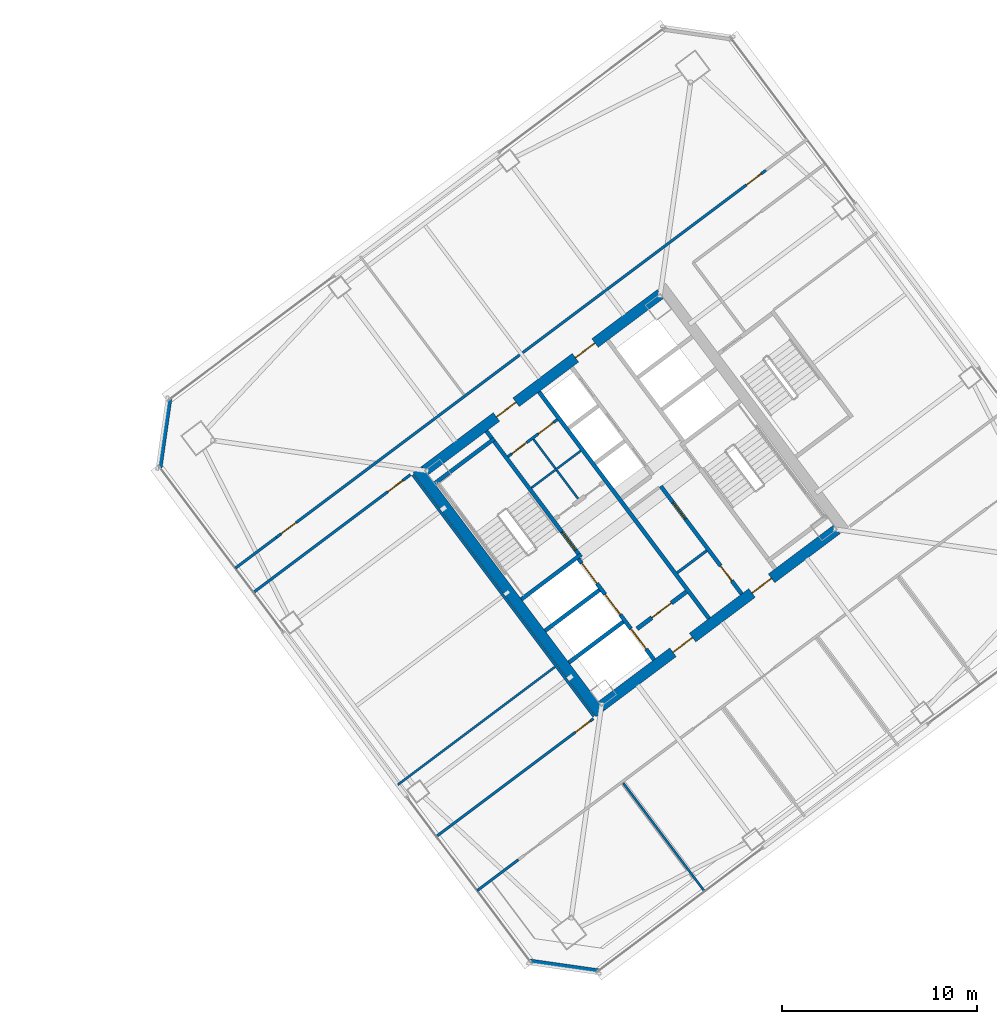
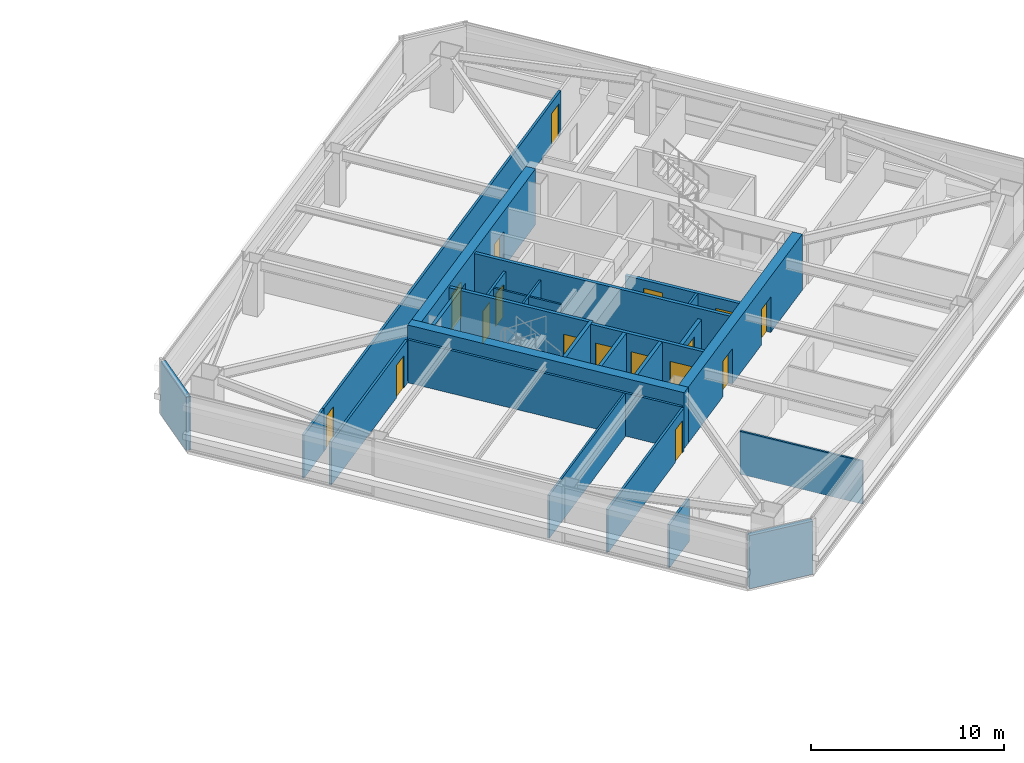
# One storey, part 33 of 41: 26 walls, 17 doors, 17 openings.
"""IFC4 building model written with IfcOpenShell, lengths in metres."""

from ifc_helpers import new_model, si_unit, direction, frame, frame_2d, origin, place, context, subcontext, project, spatial, rectangle, extrude, material, layer, layer_set, type_object, element, fill, save


model = new_model("IFC4")

# Units and contexts
model_context = context("Model", 3, precision=1e-05, world=origin(), true_north=direction((0.0, 1.0)))
body_context = subcontext(model_context, "Body", "Model", "MODEL_VIEW")
ifc_project = project(units=[si_unit("LENGTHUNIT", "METRE"), si_unit("AREAUNIT", "SQUARE_METRE"), si_unit("VOLUMEUNIT", "CUBIC_METRE"), si_unit("PLANEANGLEUNIT", "RADIAN"), si_unit("MASSUNIT", "GRAM", prefix="KILO")], contexts=[model_context])

# Site, building, storey
site_placement = place(None, origin())
site = spatial("IfcSite", under=ifc_project, at=site_placement, CompositionType="ELEMENT")
building_placement = place(site_placement, origin())
building = spatial("IfcBuilding", under=site, at=building_placement, Name="Tashvorn Skyway Center", CompositionType="ELEMENT")
storey_placement = place(building_placement, frame((0.0, 0.0, 117.949951171875)))
storey = spatial("IfcBuildingStorey", under=building, at=storey_placement, Name="L31", CompositionType="ELEMENT", Elevation=117.949951171875)

# Wall
ifc_material_1 = material(Name="Concrete C60/75", Category="concrete")
ifc_layer_1 = layer(ifc_material_1, 0.550048828125)
ifc_layer_set_1 = layer_set([ifc_layer_1], Name="Concrete C60/75")
wall_type_1 = type_object("IfcWallType", Name="WALL-CORE-550", PredefinedType="SHEAR", material=ifc_layer_set_1)
wall_1_placement = place(storey_placement, frame((112.43603515625, 21.076904296875, 0.0), z_axis=(0.0, 0.0, 1.0), x_axis=(-0.600005007985, 0.799996243986, 0.0)))
element("IfcWall", 1, at=wall_1_placement, inside=storey, type_object=wall_type_1, Name="Tower 2 L31 West Core Shear Wall", PredefinedType="SHEAR", context=body_context, shape_type="SweptSolid", body=[
    extrude(rectangle(XDim=15.60009765625, YDim=0.550048828125, at=frame_2d((7.800048828125, 0.0))), origin(), (0.0, 0.0, 1.0), 3.550048828125),
])

# Wall, openings, doors
wall_2_placement = place(storey_placement, frame((124.5390625, 30.498046875, 0.0), z_axis=(0.0, 0.0, 1.0), x_axis=(-0.799998054672, -0.600002593761, 0.0)))
wall_2 = element("IfcWall", 2, at=wall_2_placement, inside=storey, type_object=wall_type_1, Name="Tower 2 L31 South Core Shear Wall", PredefinedType="SHEAR", context=body_context, shape_type="SweptSolid", body=[
    extrude(rectangle(XDim=15.06005859375, YDim=0.550048828125, at=frame_2d((7.530029296875, 0.0))), origin(), (0.0, 0.0, 1.0), 3.550048828125),
])
opening_1_placement = place(wall_2_placement, frame((9.22998046875, 0.0, 0.0)))
opening_1 = element("IfcOpeningElement", 3, at=opening_1_placement, cuts=wall_2, Name="Opening D-FFL-1250", PredefinedType="OPENING", context=body_context, shape_type="SweptSolid", body=[
    extrude(rectangle(XDim=1.25, YDim=2.25, at=frame_2d((0.625, 1.125))), frame((0.0, 0.284912109375, 0.0), z_axis=(0.0, -1.0, 0.0), x_axis=(1.0, 0.0, 0.0)), (0.0, 0.0, 1.0), 0.570068359375),
])
opening_2_placement = place(wall_2_placement, frame((4.179931640625, 0.0, 0.0)))
opening_2 = element("IfcOpeningElement", 4, at=opening_2_placement, cuts=wall_2, Name="Opening D-FFL-1250", PredefinedType="OPENING", context=body_context, shape_type="SweptSolid", body=[
    extrude(rectangle(XDim=1.25, YDim=2.25, at=frame_2d((0.625, 1.125))), frame((0.0, 0.284912109375, 0.0), z_axis=(0.0, -1.0, 0.0), x_axis=(1.0, 0.0, 0.0)), (0.0, 0.0, 1.0), 0.570068359375),
])
ifc_material_2 = material(Name="Hollow galvanized steel fire door assembly", Category="steel")
door_type_1 = type_object("IfcDoorType", Name="DOOR-FFL-1250", OperationType="NOTDEFINED", PredefinedType="DOOR", material=ifc_material_2)
door_1_placement = place(opening_1_placement, origin())
door_1 = element("IfcDoor", 5, at=door_1_placement, inside=storey, type_object=door_type_1, Name="Tower 2 L31 Core South Firefighting Exit Door", OperationType="SINGLE_SWING_LEFT", OverallHeight=2.25, OverallWidth=1.25, PredefinedType="DOOR", context=body_context, shape_type="SweptSolid", body=[
    extrude(rectangle(XDim=1.25, YDim=2.25, at=frame_2d((0.625, 1.125))), frame((0.0, 0.02490234375, 0.0), z_axis=(0.0, -1.0, 0.0), x_axis=(1.0, 0.0, 0.0)), (0.0, 0.0, 1.0), 0.050048828125),
])
fill(opening_1, door_1)
door_2_placement = place(opening_2_placement, origin())
door_2 = element("IfcDoor", 6, at=door_2_placement, inside=storey, type_object=door_type_1, Name="Tower 2 L31 Core South Lift Lobby Door", OperationType="SINGLE_SWING_RIGHT", OverallHeight=2.25, OverallWidth=1.25, PredefinedType="DOOR", context=body_context, shape_type="SweptSolid", body=[
    extrude(rectangle(XDim=1.25, YDim=2.25, at=frame_2d((0.625, 1.125))), frame((0.0, 0.02490234375, 0.0), z_axis=(0.0, -1.0, 0.0), x_axis=(1.0, 0.0, 0.0)), (0.0, 0.0, 1.0), 0.050048828125),
])
fill(opening_2, door_2)

wall_3_placement = place(storey_placement, frame((103.4609375, 33.501953125, 0.0), z_axis=(0.0, 0.0, 1.0), x_axis=(0.799998054672, 0.600002593761, 0.0)))
wall_3 = element("IfcWall", 7, at=wall_3_placement, inside=storey, type_object=wall_type_1, Name="Tower 2 L31 North Core Shear Wall", PredefinedType="SHEAR", context=body_context, shape_type="SweptSolid", body=[
    extrude(rectangle(XDim=15.06005859375, YDim=0.550048828125, at=frame_2d((7.530029296875, 0.0))), origin(), (0.0, 0.0, 1.0), 3.550048828125),
])
opening_3_placement = place(wall_3_placement, frame((4.580078125, 0.0, 0.0)))
opening_3 = element("IfcOpeningElement", 8, at=opening_3_placement, cuts=wall_3, Name="Opening D-FFL-1250", PredefinedType="OPENING", context=body_context, shape_type="SweptSolid", body=[
    extrude(rectangle(XDim=1.25, YDim=2.25, at=frame_2d((0.625, 1.125))), frame((0.0, 0.284912109375, 0.0), z_axis=(0.0, -1.0, 0.0), x_axis=(1.0, 0.0, 0.0)), (0.0, 0.0, 1.0), 0.570068359375),
])
opening_4_placement = place(wall_3_placement, frame((9.6298828125, 0.0, 0.0)))
opening_4 = element("IfcOpeningElement", 9, at=opening_4_placement, cuts=wall_3, Name="Opening D-FFL-1250", PredefinedType="OPENING", context=body_context, shape_type="SweptSolid", body=[
    extrude(rectangle(XDim=1.25, YDim=2.25, at=frame_2d((0.625, 1.125))), frame((0.0, 0.284912109375, 0.0), z_axis=(0.0, -1.0, 0.0), x_axis=(1.0, 0.0, 0.0)), (0.0, 0.0, 1.0), 0.570068359375),
])
door_3_placement = place(opening_3_placement, origin())
door_3 = element("IfcDoor", 10, at=door_3_placement, inside=storey, type_object=door_type_1, Name="Tower 2 L31 Core North Service Lobby Door", OperationType="SINGLE_SWING_LEFT", OverallHeight=2.25, OverallWidth=1.25, PredefinedType="DOOR", context=body_context, shape_type="SweptSolid", body=[
    extrude(rectangle(XDim=1.25, YDim=2.25, at=frame_2d((0.625, 1.125))), frame((0.0, 0.02490234375, 0.0), z_axis=(0.0, -1.0, 0.0), x_axis=(1.0, 0.0, 0.0)), (0.0, 0.0, 1.0), 0.050048828125),
])
fill(opening_3, door_3)
door_4_placement = place(opening_4_placement, origin())
door_4 = element("IfcDoor", 11, at=door_4_placement, inside=storey, type_object=door_type_1, Name="Tower 2 L31 Core North Lift Lobby Door", OperationType="SINGLE_SWING_RIGHT", OverallHeight=2.25, OverallWidth=1.25, PredefinedType="DOOR", context=body_context, shape_type="SweptSolid", body=[
    extrude(rectangle(XDim=1.25, YDim=2.25, at=frame_2d((0.625, 1.125))), frame((0.0, 0.02490234375, 0.0), z_axis=(0.0, -1.0, 0.0), x_axis=(1.0, 0.0, 0.0)), (0.0, 0.0, 1.0), 0.050048828125),
])
fill(opening_4, door_4)

# Walls
ifc_material_3 = material(Name="Precast concrete C40/50", Category="concrete")
ifc_layer_2 = layer(ifc_material_3, 0.280029296875)
ifc_layer_set_2 = layer_set([ifc_layer_2], Name="Precast concrete C40/50")
wall_type_2 = type_object("IfcWallType", Name="WALL-EXT-280", PredefinedType="SOLIDWALL", material=ifc_layer_set_2)
for number, where, z_axis, x_axis, name in (
    (12, (112.340087890625, 7.8798828125, 0.0), (0.0, 0.0, 1.0), (-0.989949493661, 0.141421356237, 0.0), "Tower 2 L31 SW Precast Chamfer Wall"),
    (13, (89.8798828125, 33.659912109375, 0.0), (0.0, 0.0, 1.0), (0.141421356237, 0.989949493661, 0.0), "Tower 2 L31 NW Precast Chamfer Wall"),
):
    element("IfcWall", number, at=place(storey_placement, frame(where, z_axis=z_axis, x_axis=x_axis)), inside=storey, type_object=wall_type_2, Name=name, PredefinedType="SOLIDWALL", context=body_context, shape_type="SweptSolid", body=[
        extrude(rectangle(XDim=3.53564453125, YDim=0.280029296875, at=frame_2d((1.767822265625, 0.0))), origin(), (0.0, 0.0, 1.0), 3.3701171875),
    ])

# Wall, opening, door
ifc_material_4 = material(Name="Concrete C40/50", Category="concrete")
ifc_layer_3 = layer(ifc_material_4, 0.219970703125)
ifc_layer_set_3 = layer_set([ifc_layer_3], Name="Concrete C40/50")
wall_type_3 = type_object("IfcWallType", Name="WALL-FFL-220", PredefinedType="SOLIDWALL", material=ifc_layer_set_3)
wall_4_placement = place(storey_placement, frame((114.31591796875, 25.412109375, 0.0), z_axis=(0.0, 0.0, 1.0), x_axis=(0.800018601094, 0.59997519774, 0.0)))
wall_4 = element("IfcWall", 14, at=wall_4_placement, inside=storey, type_object=wall_type_3, Name="Tower 2 L31 Firefighting Lobby South Wall", PredefinedType="SOLIDWALL", context=body_context, shape_type="SweptSolid", body=[
    extrude(rectangle(XDim=3.14990234375, YDim=0.219970703125, at=frame_2d((1.574951171875, 0.0))), origin(), (0.0, 0.0, 1.0), 2.72314453125),
])
opening_5_placement = place(wall_4_placement, frame((0.949951171875, 0.0, 0.0)))
opening_5 = element("IfcOpeningElement", 15, at=opening_5_placement, cuts=wall_4, Name="Opening D-FFL-1250", PredefinedType="OPENING", context=body_context, shape_type="SweptSolid", body=[
    extrude(rectangle(XDim=1.25, YDim=2.25, at=frame_2d((0.625, 1.125))), frame((0.0, 0.119873046875, 0.0), z_axis=(0.0, -1.0, 0.0), x_axis=(1.0, 0.0, 0.0)), (0.0, 0.0, 1.0), 0.239990234375),
])
door_5_placement = place(opening_5_placement, origin())
door_5 = element("IfcDoor", 16, at=door_5_placement, inside=storey, type_object=door_type_1, Name="Tower 2 L31 Firefighting Lobby Egress Door", OperationType="SINGLE_SWING_LEFT", OverallHeight=2.25, OverallWidth=1.25, PredefinedType="DOOR", context=body_context, shape_type="SweptSolid", body=[
    extrude(rectangle(XDim=1.25, YDim=2.25, at=frame_2d((0.625, 1.125))), frame((0.0, 0.02490234375, 0.0), z_axis=(0.0, -1.0, 0.0), x_axis=(1.0, 0.0, 0.0)), (0.0, 0.0, 1.0), 0.050048828125),
])
fill(opening_5, door_5)

# Walls
ifc_material_5 = material(Name="Gypsum board on cold-formed steel stud framing", Category="steel")
ifc_layer_4 = layer(ifc_material_5, 0.110107421875)
ifc_layer_set_4 = layer_set([ifc_layer_4], Name="Gypsum board on cold-formed steel stud framing")
wall_type_4 = type_object("IfcWallType", Name="WALL-PART-110", PredefinedType="PARTITIONING", material=ifc_layer_set_4)
wall_5_placement = place(storey_placement, frame((117.76806640625, 11.97607421875, 0.0), z_axis=(0.0, 0.0, 1.0), x_axis=(-0.6, 0.8, 0.0)))
element("IfcWall", 17, at=wall_5_placement, inside=storey, type_object=wall_type_4, Name="Tower 2 L31 South Suite Partition 1", PredefinedType="PARTITIONING", context=body_context, shape_type="SweptSolid", body=[
    extrude(rectangle(XDim=6.929931640625, YDim=0.110107421875, at=frame_2d((3.46484375, 0.0))), origin(), (0.0, 0.0, 1.0), 2.72314453125),
])
wall_6_placement = place(storey_placement, frame((102.075927734375, 17.431884765625, 0.0), z_axis=(0.0, 0.0, 1.0), x_axis=(0.799991245945, 0.600011671896, 0.0)))
element("IfcWall", 18, at=wall_6_placement, inside=storey, type_object=wall_type_4, Name="Tower 2 L31 West Mid Partition", PredefinedType="PARTITIONING", context=body_context, shape_type="SweptSolid", body=[
    extrude(rectangle(XDim=10.0400390625, YDim=0.110107421875, at=frame_2d((5.02001953125, 0.0))), origin(), (0.0, 0.0, 1.0), 2.72314453125),
])

# Wall, openings, doors
ifc_layer_5 = layer(ifc_material_5, 0.135009765625)
ifc_layer_set_5 = layer_set([ifc_layer_5], Name="Gypsum board on cold-formed steel stud framing")
wall_type_5 = type_object("IfcWallType", Name="WALL-PART-135", PredefinedType="PARTITIONING", material=ifc_layer_set_5)
wall_7_placement = place(storey_placement, frame((95.8701171875, 30.090087890625, 0.0), z_axis=(0.0, 0.0, 1.0), x_axis=(0.799997191971, 0.600003744021, 0.0)))
wall_7 = element("IfcWall", 19, at=wall_7_placement, inside=storey, type_object=wall_type_5, Name="Tower 2 L31 North Suite Wall", PredefinedType="PARTITIONING", context=body_context, shape_type="SweptSolid", body=[
    extrude(rectangle(XDim=31.2998046875, YDim=0.135009765625, at=frame_2d((15.64990234375, 0.0))), origin(), (0.0, 0.0, 1.0), 2.72314453125),
])
opening_6_placement = place(wall_7_placement, frame((0.300048828125, 0.0, 0.0)))
opening_6 = element("IfcOpeningElement", 20, at=opening_6_placement, cuts=wall_7, Name="Opening D-INT-950", PredefinedType="OPENING", context=body_context, shape_type="SweptSolid", body=[
    extrude(rectangle(XDim=0.949951171875, YDim=2.050048828125, at=frame_2d((0.47509765625, 1.02490234375))), frame((0.0, 0.077392578125, 0.0), z_axis=(0.0, -1.0, 0.0), x_axis=(1.0, 0.0, 0.0)), (0.0, 0.0, 1.0), 0.155029296875),
])
opening_7_placement = place(wall_7_placement, frame((30.050048828125, 0.0, 0.0)))
opening_7 = element("IfcOpeningElement", 21, at=opening_7_placement, cuts=wall_7, Name="Opening D-INT-950", PredefinedType="OPENING", context=body_context, shape_type="SweptSolid", body=[
    extrude(rectangle(XDim=0.949951171875, YDim=2.050048828125, at=frame_2d((0.47509765625, 1.02490234375))), frame((0.0, 0.077392578125, 0.0), z_axis=(0.0, -1.0, 0.0), x_axis=(1.0, 0.0, 0.0)), (0.0, 0.0, 1.0), 0.155029296875),
])
ifc_material_6 = material(Name="Solid-core architectural oak veneer door")
door_type_2 = type_object("IfcDoorType", Name="DOOR-INT-950", OperationType="NOTDEFINED", PredefinedType="DOOR", material=ifc_material_6)
door_6_placement = place(opening_6_placement, origin())
door_6 = element("IfcDoor", 22, at=door_6_placement, inside=storey, type_object=door_type_2, Name="Tower 2 L31 Executive Study Lounge Door", OperationType="SINGLE_SWING_LEFT", OverallHeight=2.050048828125, OverallWidth=0.949951171875, PredefinedType="DOOR", context=body_context, shape_type="SweptSolid", body=[
    extrude(rectangle(XDim=0.949951171875, YDim=2.050048828125, at=frame_2d((0.47509765625, 1.02490234375))), frame((0.0, 0.02490234375, 0.0), z_axis=(0.0, -1.0, 0.0), x_axis=(1.0, 0.0, 0.0)), (0.0, 0.0, 1.0), 0.050048828125),
])
fill(opening_6, door_6)
door_7_placement = place(opening_7_placement, origin())
door_7 = element("IfcDoor", 23, at=door_7_placement, inside=storey, type_object=door_type_2, Name="Tower 2 L31 Executive Study Lounge Door", OperationType="SINGLE_SWING_RIGHT", OverallHeight=2.050048828125, OverallWidth=0.949951171875, PredefinedType="DOOR", context=body_context, shape_type="SweptSolid", body=[
    extrude(rectangle(XDim=0.949951171875, YDim=2.050048828125, at=frame_2d((0.47509765625, 1.02490234375))), frame((0.0, 0.02490234375, 0.0), z_axis=(0.0, -1.0, 0.0), x_axis=(1.0, 0.0, 0.0)), (0.0, 0.0, 1.0), 0.050048828125),
])
fill(opening_7, door_7)

# Walls
wall_8_placement = place(storey_placement, frame((93.76611328125, 28.511962890625, 0.0), z_axis=(0.0, 0.0, 1.0), x_axis=(0.799977721118, 0.600029704027, 0.0)))
element("IfcWall", 24, at=wall_8_placement, inside=storey, type_object=wall_type_5, Name="Tower 2 L31 North-West Suite South Wall", PredefinedType="PARTITIONING", context=body_context, shape_type="SweptSolid", body=[
    extrude(rectangle(XDim=2.630126953125, YDim=0.135009765625, at=frame_2d((1.31494140625, 0.0))), origin(), (0.0, 0.0, 1.0), 2.72314453125),
])
wall_9_placement = place(storey_placement, frame((106.137939453125, 12.01611328125, 0.0), z_axis=(0.0, 0.0, 1.0), x_axis=(0.80002227902, 0.599970293491, 0.0)))
element("IfcWall", 25, at=wall_9_placement, inside=storey, type_object=wall_type_5, Name="Tower 2 L31 South-West Suite North Wall", PredefinedType="PARTITIONING", context=body_context, shape_type="SweptSolid", body=[
    extrude(rectangle(XDim=2.6298828125, YDim=0.135009765625, at=frame_2d((1.31494140625, 0.0))), origin(), (0.0, 0.0, 1.0), 2.72314453125),
])
wall_10_placement = place(storey_placement, frame((112.10400390625, 20.927978515625, 0.0), z_axis=(0.0, 0.0, 1.0), x_axis=(-0.599994940075, 0.800003794918, 0.0)))
element("IfcWall", 26, at=wall_10_placement, inside=storey, type_object=wall_type_5, Name="Tower 2 L31 West Inner Suite Wall", PredefinedType="PARTITIONING", context=body_context, shape_type="SweptSolid", body=[
    extrude(rectangle(XDim=15.43994140625, YDim=0.135009765625, at=frame_2d((7.719970703125, 0.0))), origin(), (0.0, 0.0, 1.0), 2.72314453125),
])

# Wall, opening, door
wall_11_placement = place(storey_placement, frame((102.72802734375, 33.2958984375, 0.0), z_axis=(0.0, 0.0, 1.0), x_axis=(-0.800002918023, -0.599996109283, 0.0)))
wall_11 = element("IfcWall", 27, at=wall_11_placement, inside=storey, type_object=wall_type_5, Name="Tower 2 L31 West Suite North Wall", PredefinedType="PARTITIONING", context=body_context, shape_type="SweptSolid", body=[
    extrude(rectangle(XDim=10.0400390625, YDim=0.135009765625, at=frame_2d((5.02001953125, 0.0))), origin(), (0.0, 0.0, 1.0), 2.72314453125),
])
opening_8_placement = place(wall_11_placement, frame((0.5, 0.0, 0.0)))
opening_8 = element("IfcOpeningElement", 28, at=opening_8_placement, cuts=wall_11, Name="Opening D-INT-950", PredefinedType="OPENING", context=body_context, shape_type="SweptSolid", body=[
    extrude(rectangle(XDim=0.949951171875, YDim=2.050048828125, at=frame_2d((0.47509765625, 1.02490234375))), frame((0.0, 0.077392578125, 0.0), z_axis=(0.0, -1.0, 0.0), x_axis=(1.0, 0.0, 0.0)), (0.0, 0.0, 1.0), 0.155029296875),
])
door_8_placement = place(opening_8_placement, origin())
door_8 = element("IfcDoor", 29, at=door_8_placement, inside=storey, type_object=door_type_2, Name="Tower 2 L31 Reading Lounge Door", OperationType="SINGLE_SWING_RIGHT", OverallHeight=2.050048828125, OverallWidth=0.949951171875, PredefinedType="DOOR", context=body_context, shape_type="SweptSolid", body=[
    extrude(rectangle(XDim=0.949951171875, YDim=2.050048828125, at=frame_2d((0.47509765625, 1.02490234375))), frame((0.0, 0.02490234375, 0.0), z_axis=(0.0, -1.0, 0.0), x_axis=(1.0, 0.0, 0.0)), (0.0, 0.0, 1.0), 0.050048828125),
])
fill(opening_8, door_8)

wall_12_placement = place(storey_placement, frame((104.055908203125, 14.7919921875, 0.0), z_axis=(0.0, 0.0, 1.0), x_axis=(0.800002918023, 0.599996109283, 0.0)))
wall_12 = element("IfcWall", 30, at=wall_12_placement, inside=storey, type_object=wall_type_5, Name="Tower 2 L31 West Suite South Wall", PredefinedType="PARTITIONING", context=body_context, shape_type="SweptSolid", body=[
    extrude(rectangle(XDim=10.0400390625, YDim=0.135009765625, at=frame_2d((5.02001953125, 0.0))), origin(), (0.0, 0.0, 1.0), 2.72314453125),
])
opening_9_placement = place(wall_12_placement, frame((8.8798828125, 0.0, 0.0)))
opening_9 = element("IfcOpeningElement", 31, at=opening_9_placement, cuts=wall_12, Name="Opening D-INT-950", PredefinedType="OPENING", context=body_context, shape_type="SweptSolid", body=[
    extrude(rectangle(XDim=0.949951171875, YDim=2.050048828125, at=frame_2d((0.47509765625, 1.02490234375))), frame((0.0, 0.077392578125, 0.0), z_axis=(0.0, -1.0, 0.0), x_axis=(1.0, 0.0, 0.0)), (0.0, 0.0, 1.0), 0.155029296875),
])
door_9_placement = place(opening_9_placement, origin())
door_9 = element("IfcDoor", 32, at=door_9_placement, inside=storey, type_object=door_type_2, Name="Tower 2 L31 Public Restroom Door", OperationType="SINGLE_SWING_LEFT", OverallHeight=2.050048828125, OverallWidth=0.949951171875, PredefinedType="DOOR", context=body_context, shape_type="SweptSolid", body=[
    extrude(rectangle(XDim=0.949951171875, YDim=2.050048828125, at=frame_2d((0.47509765625, 1.02490234375))), frame((0.0, 0.02490234375, 0.0), z_axis=(0.0, -1.0, 0.0), x_axis=(1.0, 0.0, 0.0)), (0.0, 0.0, 1.0), 0.050048828125),
])
fill(opening_9, door_9)

# Walls
ifc_layer_6 = layer(ifc_material_5, 0.110107421875)
ifc_layer_set_6 = layer_set([ifc_layer_6], Name="Gypsum board on cold-formed steel stud framing")
wall_type_6 = type_object("IfcWallType", Name="WALL-RATED-110", PredefinedType="PARTITIONING", material=ifc_layer_set_6)
wall_13_placement = place(storey_placement, frame((111.2958984375, 32.072021484375, 0.0), z_axis=(0.0, 0.0, 1.0), x_axis=(-0.59995887973, 0.800030838552, 0.0)))
element("IfcWall", 33, at=wall_13_placement, inside=storey, type_object=wall_type_6, Name="Tower 2 L31 Core Cross Vertical", PredefinedType="PARTITIONING", context=body_context, shape_type="SweptSolid", body=[
    extrude(rectangle(XDim=3.7998046875, YDim=0.110107421875, at=frame_2d((1.89990234375, 0.0))), origin(), (0.0, 0.0, 1.0), 2.72314453125),
])
wall_14_placement = place(storey_placement, frame((108.909912109375, 32.6201171875, 0.0), z_axis=(0.0, 0.0, 1.0), x_axis=(0.800018601094, 0.59997519774, 0.0)))
element("IfcWall", 34, at=wall_14_placement, inside=storey, type_object=wall_type_6, Name="Tower 2 L31 Core Cross Horizontal", PredefinedType="PARTITIONING", context=body_context, shape_type="SweptSolid", body=[
    extrude(rectangle(XDim=3.14990234375, YDim=0.110107421875, at=frame_2d((1.574951171875, 0.0))), origin(), (0.0, 0.0, 1.0), 2.72314453125),
])

# Wall, openings, doors
ifc_layer_7 = layer(ifc_material_5, 0.135009765625)
ifc_layer_set_7 = layer_set([ifc_layer_7], Name="Gypsum board on cold-formed steel stud framing")
wall_type_7 = type_object("IfcWallType", Name="WALL-RATED-135", PredefinedType="PARTITIONING", material=ifc_layer_set_7)
wall_15_placement = place(storey_placement, frame((107.7099609375, 34.219970703125, 0.0), z_axis=(0.0, 0.0, 1.0), x_axis=(0.799981399002, 0.60002480053, 0.0)))
wall_15 = element("IfcWall", 35, at=wall_15_placement, inside=storey, type_object=wall_type_7, Name="Tower 2 L31 Core Service Lobby Wall", PredefinedType="PARTITIONING", context=body_context, shape_type="SweptSolid", body=[
    extrude(rectangle(XDim=3.150146484375, YDim=0.135009765625, at=frame_2d((1.5751953125, 0.0))), origin(), (0.0, 0.0, 1.0), 2.72314453125),
])
opening_10_placement = place(wall_15_placement, frame((0.25, 0.0, 0.0)))
opening_10 = element("IfcOpeningElement", 36, at=opening_10_placement, cuts=wall_15, Name="Opening D-RT-950", PredefinedType="OPENING", context=body_context, shape_type="SweptSolid", body=[
    extrude(rectangle(XDim=0.949951171875, YDim=2.050048828125, at=frame_2d((0.47509765625, 1.02490234375))), frame((0.0, 0.077392578125, 0.0), z_axis=(0.0, -1.0, 0.0), x_axis=(1.0, 0.0, 0.0)), (0.0, 0.0, 1.0), 0.155029296875),
])
opening_11_placement = place(wall_15_placement, frame((1.949951171875, 0.0, 0.0)))
opening_11 = element("IfcOpeningElement", 37, at=opening_11_placement, cuts=wall_15, Name="Opening D-RT-950", PredefinedType="OPENING", context=body_context, shape_type="SweptSolid", body=[
    extrude(rectangle(XDim=0.949951171875, YDim=2.050048828125, at=frame_2d((0.47509765625, 1.02490234375))), frame((0.0, 0.077392578125, 0.0), z_axis=(0.0, -1.0, 0.0), x_axis=(1.0, 0.0, 0.0)), (0.0, 0.0, 1.0), 0.155029296875),
])
door_type_3 = type_object("IfcDoorType", Name="DOOR-RATED-950", OperationType="NOTDEFINED", PredefinedType="DOOR", material=ifc_material_2)
door_10_placement = place(opening_10_placement, origin())
door_10 = element("IfcDoor", 38, at=door_10_placement, inside=storey, type_object=door_type_3, Name="Tower 2 L31 Core Cleaner Store Door", OperationType="SINGLE_SWING_LEFT", OverallHeight=2.050048828125, OverallWidth=0.949951171875, PredefinedType="DOOR", context=body_context, shape_type="SweptSolid", body=[
    extrude(rectangle(XDim=0.949951171875, YDim=2.050048828125, at=frame_2d((0.47509765625, 1.02490234375))), frame((0.0, 0.02490234375, 0.0), z_axis=(0.0, -1.0, 0.0), x_axis=(1.0, 0.0, 0.0)), (0.0, 0.0, 1.0), 0.050048828125),
])
fill(opening_10, door_10)
door_11_placement = place(opening_11_placement, origin())
door_11 = element("IfcDoor", 39, at=door_11_placement, inside=storey, type_object=door_type_3, Name="Tower 2 L31 Core Accessible WC Door", OperationType="SINGLE_SWING_RIGHT", OverallHeight=2.050048828125, OverallWidth=0.949951171875, PredefinedType="DOOR", context=body_context, shape_type="SweptSolid", body=[
    extrude(rectangle(XDim=0.949951171875, YDim=2.050048828125, at=frame_2d((0.47509765625, 1.02490234375))), frame((0.0, 0.02490234375, 0.0), z_axis=(0.0, -1.0, 0.0), x_axis=(1.0, 0.0, 0.0)), (0.0, 0.0, 1.0), 0.050048828125),
])
fill(opening_11, door_11)

# Walls
wall_16_placement = place(storey_placement, frame((116.3759765625, 28.281982421875, 0.0), z_axis=(0.0, 0.0, 1.0), x_axis=(0.8, 0.6, 0.0)))
element("IfcWall", 40, at=wall_16_placement, inside=storey, type_object=wall_type_7, Name="Tower 2 L31 Freed Core Partition", PredefinedType="PARTITIONING", context=body_context, shape_type="SweptSolid", body=[
    extrude(rectangle(XDim=1.8798828125, YDim=0.135009765625, at=frame_2d((0.93994140625, 0.0))), origin(), (0.0, 0.0, 1.0), 2.72314453125),
])
ifc_layer_8 = layer(ifc_material_4, 0.199951171875)
ifc_layer_set_8 = layer_set([ifc_layer_8], Name="Concrete C40/50")
wall_type_8 = type_object("IfcWallType", Name="WALL-SHAFT-200", PredefinedType="SOLIDWALL", material=ifc_layer_set_8)
for number, where, z_axis, x_axis, name in (
    (41, (110.825927734375, 23.681884765625, 0.0), (0.0, 0.0, 1.0), (0.8, 0.6, 0.0), "Tower 2 L31 FSAE Shaft Divider"),
    (42, (109.60791015625, 25.305908203125, 0.0), (0.0, 0.0, 1.0), (0.8, 0.6, 0.0), "Tower 2 L31 FSAE Shaft Divider"),
):
    element("IfcWall", number, at=place(storey_placement, frame(where, z_axis=z_axis, x_axis=x_axis)), inside=storey, type_object=wall_type_8, Name=name, PredefinedType="SOLIDWALL", context=body_context, shape_type="SweptSolid", body=[
        extrude(rectangle(XDim=3.480224609375, YDim=0.199951171875, at=frame_2d((1.740234375, 0.0))), origin(), (0.0, 0.0, 1.0), 3.3701171875),
    ])

# Wall, openings, doors
wall_17_placement = place(storey_placement, frame((119.669921875, 27.18994140625, 0.0), z_axis=(0.0, 0.0, 1.0), x_axis=(-0.599988677396, 0.800008491828, 0.0)))
wall_17 = element("IfcWall", 43, at=wall_17_placement, inside=storey, type_object=wall_type_8, Name="Tower 2 L31 Low-Rise Core Wall", PredefinedType="SOLIDWALL", context=body_context, shape_type="SweptSolid", body=[
    extrude(rectangle(XDim=6.89990234375, YDim=0.199951171875, at=frame_2d((3.449951171875, 0.0))), origin(), (0.0, 0.0, 1.0), 2.72314453125),
])
opening_12_placement = place(wall_17_placement, frame((0.85009765625, 0.0, 0.0)))
opening_12 = element("IfcOpeningElement", 44, at=opening_12_placement, cuts=wall_17, Name="Opening D-RT-950", PredefinedType="OPENING", context=body_context, shape_type="SweptSolid", body=[
    extrude(rectangle(XDim=0.949951171875, YDim=2.050048828125, at=frame_2d((0.47509765625, 1.02490234375))), frame((0.0, 0.10986328125, 0.0), z_axis=(0.0, -1.0, 0.0), x_axis=(1.0, 0.0, 0.0)), (0.0, 0.0, 1.0), 0.219970703125),
])
opening_13_placement = place(wall_17_placement, frame((4.800048828125, 0.0, 0.0)))
opening_13 = element("IfcOpeningElement", 45, at=opening_13_placement, cuts=wall_17, Name="Opening D-RT-1050", PredefinedType="OPENING", context=body_context, shape_type="SweptSolid", body=[
    extrude(rectangle(XDim=1.050048828125, YDim=2.199951171875, at=frame_2d((0.52490234375, 1.10009765625))), frame((0.0, 0.10986328125, 0.0), z_axis=(0.0, -1.0, 0.0), x_axis=(1.0, 0.0, 0.0)), (0.0, 0.0, 1.0), 0.219970703125),
])
door_type_4 = type_object("IfcDoorType", Name="DOOR-RATED-1050", OperationType="NOTDEFINED", PredefinedType="DOOR", material=ifc_material_2)
door_12_placement = place(opening_13_placement, origin())
door_12 = element("IfcDoor", 46, at=door_12_placement, inside=storey, type_object=door_type_4, Name="Tower 2 L31 Freed Core Room Door", OperationType="SINGLE_SWING_RIGHT", OverallHeight=2.199951171875, OverallWidth=1.050048828125, PredefinedType="DOOR", context=body_context, shape_type="SweptSolid", body=[
    extrude(rectangle(XDim=1.050048828125, YDim=2.199951171875, at=frame_2d((0.52490234375, 1.10009765625))), frame((0.0, 0.02490234375, 0.0), z_axis=(0.0, -1.0, 0.0), x_axis=(1.0, 0.0, 0.0)), (0.0, 0.0, 1.0), 0.050048828125),
])
fill(opening_13, door_12)
door_13_placement = place(opening_12_placement, origin())
door_13 = element("IfcDoor", 47, at=door_13_placement, inside=storey, type_object=door_type_3, Name="Tower 2 L31 Core Print Room Door", OperationType="SINGLE_SWING_LEFT", OverallHeight=2.050048828125, OverallWidth=0.949951171875, PredefinedType="DOOR", context=body_context, shape_type="SweptSolid", body=[
    extrude(rectangle(XDim=0.949951171875, YDim=2.050048828125, at=frame_2d((0.47509765625, 1.02490234375))), frame((0.0, 0.02490234375, 0.0), z_axis=(0.0, -1.0, 0.0), x_axis=(1.0, 0.0, 0.0)), (0.0, 0.0, 1.0), 0.050048828125),
])
fill(opening_12, door_13)

# Wall, opening, door
ifc_layer_9 = layer(ifc_material_4, 0.199951171875)
ifc_layer_set_9 = layer_set([ifc_layer_9], Name="Concrete C40/50")
wall_type_9 = type_object("IfcWallType", Name="WALL-STSHF-200", PredefinedType="SHEAR", material=ifc_layer_set_9)
wall_18_placement = place(storey_placement, frame((111.43994140625, 29.080078125, 0.0), z_axis=(0.0, 0.0, 1.0), x_axis=(-0.59999029481, 0.8000072788, 0.0)))
wall_18 = element("IfcWall", 48, at=wall_18_placement, inside=storey, type_object=wall_type_9, Name="Tower 2 L31 Stair 1 Enclosure Wall", PredefinedType="SHEAR", context=body_context, shape_type="SweptSolid", body=[
    extrude(rectangle(XDim=8.0498046875, YDim=0.199951171875, at=frame_2d((4.02490234375, 0.0))), origin(), (0.0, 0.0, 1.0), 3.3701171875),
])
opening_14_placement = place(wall_18_placement, frame((0.449951171875, 0.0, 0.0)))
opening_14 = element("IfcOpeningElement", 49, at=opening_14_placement, cuts=wall_18, Name="Opening D-ST-1150", PredefinedType="OPENING", context=body_context, shape_type="SweptSolid", body=[
    extrude(rectangle(XDim=1.14990234375, YDim=2.199951171875, at=frame_2d((0.574951171875, 1.10009765625))), frame((0.0, 0.10986328125, 0.0), z_axis=(0.0, -1.0, 0.0), x_axis=(1.0, 0.0, 0.0)), (0.0, 0.0, 1.0), 0.219970703125),
])
door_type_5 = type_object("IfcDoorType", Name="DOOR-STAIR-1150", OperationType="NOTDEFINED", PredefinedType="DOOR", material=ifc_material_2)
door_14_placement = place(opening_14_placement, origin())
door_14 = element("IfcDoor", 50, at=door_14_placement, inside=storey, type_object=door_type_5, Name="Tower 2 L31 Exit Stair 1 Door", OperationType="SINGLE_SWING_RIGHT", OverallHeight=2.199951171875, OverallWidth=1.14990234375, PredefinedType="DOOR", context=body_context, shape_type="SweptSolid", body=[
    extrude(rectangle(XDim=1.14990234375, YDim=2.199951171875, at=frame_2d((0.574951171875, 1.10009765625))), frame((0.0, 0.02490234375, 0.0), z_axis=(0.0, -1.0, 0.0), x_axis=(1.0, 0.0, 0.0)), (0.0, 0.0, 1.0), 0.050048828125),
])
fill(opening_14, door_14)

# Walls
for number, where, z_axis, x_axis, name in (
    (51, (108.39599609375, 26.922119140625, 0.0), (0.0, 0.0, 1.0), (0.800015298837, 0.599979601008, 0.0), "Tower 2 L31 Stair 1 South Wall"),
    (52, (103.9560546875, 32.842041015625, 0.0), (0.0, 0.0, 1.0), (0.800015298837, 0.599979601008, 0.0), "Tower 2 L31 Stair 1 North Wall"),
):
    element("IfcWall", number, at=place(storey_placement, frame(where, z_axis=z_axis, x_axis=x_axis)), inside=storey, type_object=wall_type_9, Name=name, PredefinedType="SHEAR", context=body_context, shape_type="SweptSolid", body=[
        extrude(rectangle(XDim=3.829833984375, YDim=0.199951171875, at=frame_2d((1.9150390625, 0.0))), origin(), (0.0, 0.0, 1.0), 3.3701171875),
    ])
wall_19_placement = place(storey_placement, frame((117.998046875, 25.93603515625, 0.0), z_axis=(0.0, 0.0, 1.0), x_axis=(-0.600002693989, 0.799997979501, 0.0)))
element("IfcWall", 53, at=wall_19_placement, inside=storey, type_object=wall_type_9, Name="Tower 2 L31 Firefighting Lobby East Smoke Barrier", PredefinedType="SHEAR", context=body_context, shape_type="SweptSolid", body=[
    extrude(rectangle(XDim=14.499755859375, YDim=0.199951171875, at=frame_2d((7.25, 0.0))), origin(), (0.0, 0.0, 1.0), 3.3701171875),
])

# Wall, openings, doors
wall_20_placement = place(storey_placement, frame((115.18994140625, 23.830078125, 0.0), z_axis=(0.0, 0.0, 1.0), x_axis=(-0.599993943644, 0.800004542231, 0.0)))
wall_20 = element("IfcWall", 54, at=wall_20_placement, inside=storey, type_object=wall_type_9, Name="Tower 2 L31 FSAE and Goods Shaft Front Wall", PredefinedType="SHEAR", context=body_context, shape_type="SweptSolid", body=[
    extrude(rectangle(XDim=6.449951171875, YDim=0.199951171875, at=frame_2d((3.22509765625, 0.0))), origin(), (0.0, 0.0, 1.0), 3.3701171875),
])
opening_15_placement = place(wall_20_placement, frame((4.875, 0.0, 0.0)))
opening_15 = element("IfcOpeningElement", 55, at=opening_15_placement, cuts=wall_20, Name="Opening LD-FF-T2-1-L31", PredefinedType="OPENING", context=body_context, shape_type="SweptSolid", body=[
    extrude(rectangle(XDim=1.300048828125, YDim=2.25, at=frame_2d((0.64990234375, 1.125))), frame((0.0, 0.10986328125, 0.0), z_axis=(0.0, -1.0, 0.0), x_axis=(1.0, 0.0, 0.0)), (0.0, 0.0, 1.0), 0.219970703125),
])
opening_16_placement = place(wall_20_placement, frame((2.875, 0.0, 0.0)))
opening_16 = element("IfcOpeningElement", 56, at=opening_16_placement, cuts=wall_20, Name="Opening LD-FF-T2-2-L31", PredefinedType="OPENING", context=body_context, shape_type="SweptSolid", body=[
    extrude(rectangle(XDim=1.300048828125, YDim=2.25, at=frame_2d((0.64990234375, 1.125))), frame((0.0, 0.10986328125, 0.0), z_axis=(0.0, -1.0, 0.0), x_axis=(1.0, 0.0, 0.0)), (0.0, 0.0, 1.0), 0.219970703125),
])
opening_17_placement = place(wall_20_placement, frame((0.675048828125, 0.0, 0.0)))
opening_17 = element("IfcOpeningElement", 57, at=opening_17_placement, cuts=wall_20, Name="Opening LD-GD-T2-1-L31", PredefinedType="OPENING", context=body_context, shape_type="SweptSolid", body=[
    extrude(rectangle(XDim=1.300048828125, YDim=2.25, at=frame_2d((0.64990234375, 1.125))), frame((0.0, 0.10986328125, 0.0), z_axis=(0.0, -1.0, 0.0), x_axis=(1.0, 0.0, 0.0)), (0.0, 0.0, 1.0), 0.219970703125),
])
ifc_material_7 = material(Name="Stainless steel heavy-duty landing door", Category="steel")
door_type_6 = type_object("IfcDoorType", Name="DOOR-LIFT-1300", OperationType="SLIDING_TO_LEFT", PredefinedType="DOOR", material=ifc_material_7)
door_15_placement = place(opening_15_placement, origin())
door_15 = element("IfcDoor", 58, at=door_15_placement, inside=storey, type_object=door_type_6, Name="Lift FF-T2-1 L31 Landing Door", OperationType="SLIDING_TO_LEFT", OverallHeight=2.25, OverallWidth=1.300048828125, PredefinedType="DOOR", context=body_context, shape_type="SweptSolid", body=[
    extrude(rectangle(XDim=1.300048828125, YDim=2.25, at=frame_2d((0.64990234375, 1.125))), frame((0.0, 0.02490234375, 0.0), z_axis=(0.0, -1.0, 0.0), x_axis=(1.0, 0.0, 0.0)), (0.0, 0.0, 1.0), 0.050048828125),
])
fill(opening_15, door_15)
door_16_placement = place(opening_16_placement, origin())
door_16 = element("IfcDoor", 59, at=door_16_placement, inside=storey, type_object=door_type_6, Name="Lift FF-T2-2 L31 Landing Door", OperationType="SLIDING_TO_LEFT", OverallHeight=2.25, OverallWidth=1.300048828125, PredefinedType="DOOR", context=body_context, shape_type="SweptSolid", body=[
    extrude(rectangle(XDim=1.300048828125, YDim=2.25, at=frame_2d((0.64990234375, 1.125))), frame((0.0, 0.02490234375, 0.0), z_axis=(0.0, -1.0, 0.0), x_axis=(1.0, 0.0, 0.0)), (0.0, 0.0, 1.0), 0.050048828125),
])
fill(opening_16, door_16)
door_17_placement = place(opening_17_placement, origin())
door_17 = element("IfcDoor", 60, at=door_17_placement, inside=storey, type_object=door_type_6, Name="Lift GD-T2-1 L31 Landing Door", OperationType="SLIDING_TO_LEFT", OverallHeight=2.25, OverallWidth=1.300048828125, PredefinedType="DOOR", context=body_context, shape_type="SweptSolid", body=[
    extrude(rectangle(XDim=1.300048828125, YDim=2.25, at=frame_2d((0.64990234375, 1.125))), frame((0.0, 0.02490234375, 0.0), z_axis=(0.0, -1.0, 0.0), x_axis=(1.0, 0.0, 0.0)), (0.0, 0.0, 1.0), 0.050048828125),
])
fill(opening_17, door_17)

save(model, "model.ifc")
